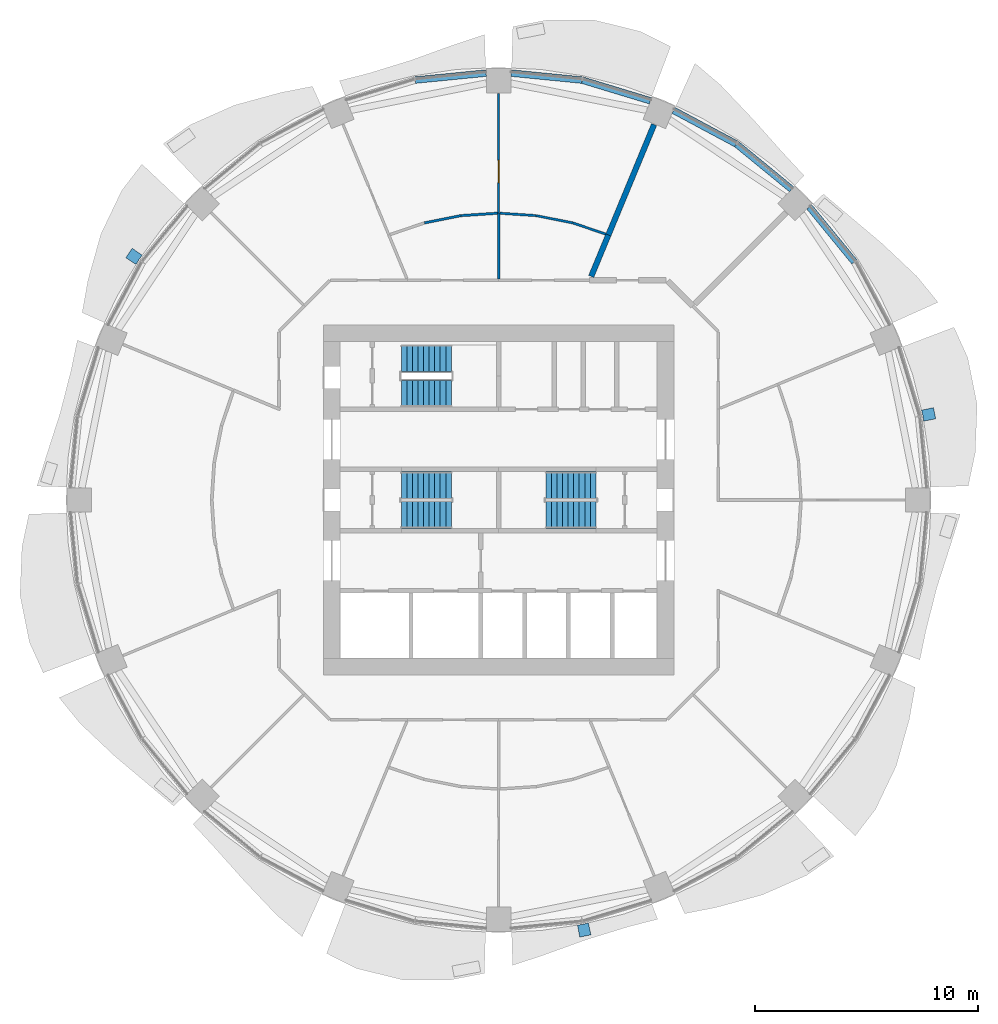
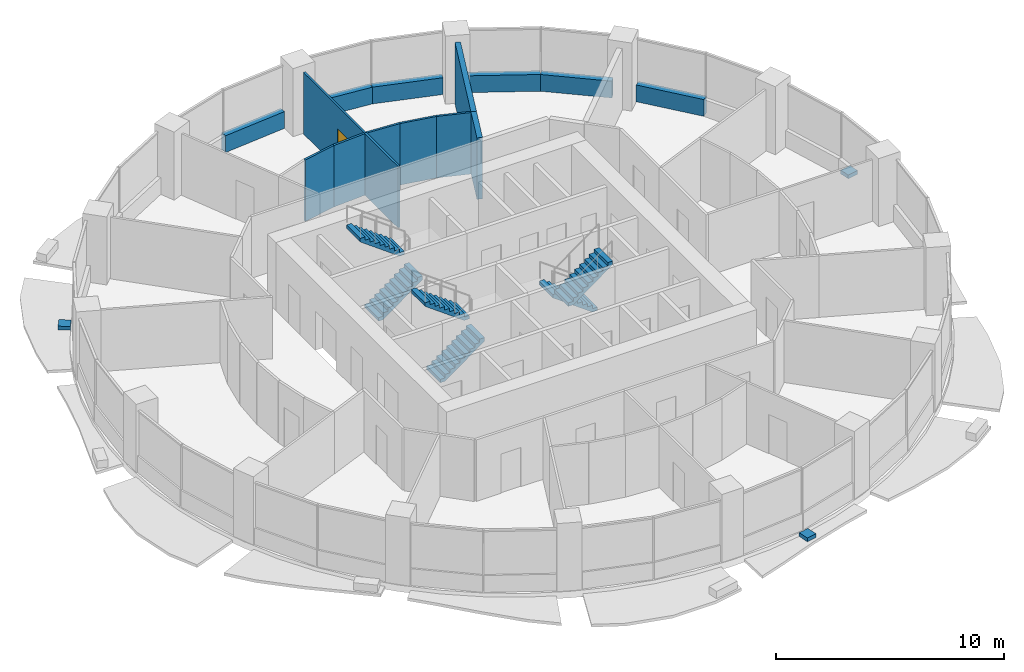
# One storey, part 11 of 15: 15 walls, 6 stair flights, 3 discrete accessories, 1 door, 1 opening, 3 elements without a shape of their own.
"""IFC4 building model written with IfcOpenShell, lengths in metres."""

from ifc_helpers import new_model, si_unit, direction, frame, frame_2d, origin, place, context, subcontext, project, spatial, polyline, rectangle, outline, extrude, material, layer, layer_set, type_object, element, fill, aggregate, save


model = new_model("IFC4")

# Units and contexts
model_context = context("Model", 3, precision=1e-05, world=origin(), true_north=direction((0.0, 1.0)))
body_context = subcontext(model_context, "Body", "Model", "MODEL_VIEW")
ifc_project = project(units=[si_unit("LENGTHUNIT", "METRE"), si_unit("AREAUNIT", "SQUARE_METRE"), si_unit("VOLUMEUNIT", "CUBIC_METRE"), si_unit("PLANEANGLEUNIT", "RADIAN"), si_unit("MASSUNIT", "GRAM", prefix="KILO")], contexts=[model_context])

# Site, building, storey
site_placement = place(None, origin())
site = spatial("IfcSite", under=ifc_project, at=site_placement, CompositionType="ELEMENT")
building_placement = place(site_placement, origin())
building = spatial("IfcBuilding", under=site, at=building_placement, Name="Polderwave Tower", CompositionType="ELEMENT")
storey_placement = place(building_placement, frame((0.0, 0.0, 72.75)))
storey = spatial("IfcBuildingStorey", under=building, at=storey_placement, Name="L18", CompositionType="ELEMENT", Elevation=72.75)

# Walls
ifc_material_1 = material(Name="Concrete C50/60 (board-marked)", Category="concrete")
ifc_layer_1 = layer(ifc_material_1, 0.300048828125)
ifc_layer_set_1 = layer_set([ifc_layer_1], Name="Concrete spandrel upstand C50/60")
wall_type_1 = type_object("IfcWallType", Name="Concrete spandrel upstand C50/60", PredefinedType="SOLIDWALL", material=ifc_layer_set_1)
for number, where, z_axis, x_axis, name in (
    (1, (15.987548828125, 10.70068359375, 0.0), (0.0, 0.0, 1.0), (-0.63411253447, 0.773240773387, 0.0), "Spandrel L18 2b"),
    (2, (13.16748046875, 13.964599609375, 0.0), (0.0, 0.0, 1.0), (-0.773240773387, 0.63411253447, 0.0), "Spandrel L18 3a"),
    (3, (10.67578125, 16.004150390625, 0.0), (0.0, 0.0, 1.0), (-0.8819437364, 0.471354692163, 0.0), "Spandrel L18 3b"),
):
    element("IfcWall", number, at=place(storey_placement, frame(where, z_axis=z_axis, x_axis=x_axis)), inside=storey, type_object=wall_type_1, Name=name, PredefinedType="SOLIDWALL", context=body_context, shape_type="SweptSolid", body=[
        extrude(rectangle(XDim=3.190185546875, YDim=0.300048828125, at=frame_2d((1.59521484375, 0.0))), origin(), (0.0, 0.0, 1.0), 0.89990234375),
    ])
wall_1_placement = place(storey_placement, frame((6.820556640625, 17.939453125, 0.0), z_axis=(0.0, 0.0, 1.0), x_axis=(-0.956954228099, 0.290238876314, 0.0)))
element("IfcWall", 4, at=wall_1_placement, inside=storey, type_object=wall_type_1, Name="Spandrel L18 4a", PredefinedType="SOLIDWALL", context=body_context, shape_type="SweptSolid", body=[
    extrude(rectangle(XDim=3.190673828125, YDim=0.300048828125, at=frame_2d((1.59521484375, 0.0))), origin(), (0.0, 0.0, 1.0), 0.89990234375),
])
for number, where, z_axis, x_axis, name in (
    (5, (3.738037109375, 18.87158203125, 0.0), (0.0, 0.0, 1.0), (-0.995173420989, 0.098131861065, 0.0), "Spandrel L18 4b"),
    (6, (-0.56396484375, 19.1845703125, 0.0), (0.0, 0.0, 1.0), (-0.995173420989, -0.098131861065, 0.0), "Spandrel L18 5a"),
):
    element("IfcWall", number, at=place(storey_placement, frame(where, z_axis=z_axis, x_axis=x_axis)), inside=storey, type_object=wall_type_1, Name=name, PredefinedType="SOLIDWALL", context=body_context, shape_type="SweptSolid", body=[
        extrude(rectangle(XDim=3.189453125, YDim=0.300048828125, at=frame_2d((1.5947265625, 0.0))), origin(), (0.0, 0.0, 1.0), 0.89990234375),
    ])

# Wall, opening, door
ifc_material_2 = material(Name="Plasterboard on steel studs", Category="steel")
ifc_layer_2 = layer(ifc_material_2, 0.10009765625)
ifc_layer_set_2 = layer_set([ifc_layer_2], Name="Partition 100 mm plasterboard on steel studs")
wall_type_2 = type_object("IfcWallType", Name="Partition 100 mm plasterboard on steel studs", PredefinedType="PARTITIONING", material=ifc_layer_set_2)
wall_2_placement = place(storey_placement, frame((0.0, 18.260009765625, 0.0), z_axis=(0.0, 0.0, 1.0), x_axis=(0.0, -1.0, 0.0)))
wall_2 = element("IfcWall", 7, at=wall_2_placement, inside=storey, type_object=wall_type_2, Name="IN-L18-W036", PredefinedType="PARTITIONING", context=body_context, shape_type="SweptSolid", body=[
    extrude(rectangle(XDim=5.3701171875, YDim=0.10009765625, at=frame_2d((2.68505859375, 0.0))), origin(), (0.0, 0.0, 1.0), 3.300048828125),
])
opening_placement = place(wall_2_placement, frame((3.0, 0.0, 0.0)))
opening = element("IfcOpeningElement", 8, at=opening_placement, cuts=wall_2, Name="Opening L18-D64", PredefinedType="OPENING", context=body_context, shape_type="SweptSolid", body=[
    extrude(rectangle(XDim=1.0, YDim=2.10009765625, at=frame_2d((0.5, 1.050048828125))), frame((0.0, 0.06005859375, 0.0), z_axis=(0.0, -1.0, 0.0), x_axis=(1.0, 0.0, 0.0)), (0.0, 0.0, 1.0), 0.1201171875),
])
ifc_material_3 = material(Name="Timber veneer door leaf", Category="wood")
door_type = type_object("IfcDoorType", Name="Single door 1000 x 2100", OperationType="NOTDEFINED", PredefinedType="DOOR", material=ifc_material_3)
door_placement = place(opening_placement, origin())
door = element("IfcDoor", 9, at=door_placement, inside=storey, type_object=door_type, Name="Door L18-D64", OperationType="SINGLE_SWING_RIGHT", OverallHeight=2.10009765625, OverallWidth=1.0, PredefinedType="DOOR", context=body_context, shape_type="SweptSolid", body=[
    extrude(rectangle(XDim=1.0, YDim=2.10009765625, at=frame_2d((0.5, 1.050048828125))), frame((0.0, 0.02490234375, 0.0), z_axis=(0.0, -1.0, 0.0), x_axis=(1.0, 0.0, 0.0)), (0.0, 0.0, 1.0), 0.050048828125),
])
fill(opening, door)

# Walls
ifc_material_4 = material(Name="Moisture-resistant board on steel studs, tiled", Category="steel")
ifc_layer_3 = layer(ifc_material_4, 0.10498046875)
ifc_layer_set_3 = layer_set([ifc_layer_3], Name="Partition 105 mm wet room board and tile")
wall_type_3 = type_object("IfcWallType", Name="Partition 105 mm wet room board and tile", PredefinedType="PARTITIONING", material=ifc_layer_set_3)
wall_3_placement = place(storey_placement, frame((0.055908203125, 12.88623046875, 0.0), z_axis=(0.0, 0.0, 1.0), x_axis=(0.99785694905, -0.065433242561, 0.0)))
element("IfcWall", 10, at=wall_3_placement, inside=storey, type_object=wall_type_3, Name="IN-L18-W032", PredefinedType="PARTITIONING", context=body_context, shape_type="SweptSolid", body=[
    extrude(rectangle(XDim=1.626708984375, YDim=0.10498046875, at=frame_2d((0.8134765625, 0.0))), origin(), (0.0, 0.0, 1.0), 3.300048828125),
])
wall_4_placement = place(storey_placement, frame((1.685791015625, 12.779052734375, 0.0), z_axis=(0.0, 0.0, 1.0), x_axis=(0.980781464345, -0.195109505655, 0.0)))
element("IfcWall", 11, at=wall_4_placement, inside=storey, type_object=wall_type_3, Name="IN-L18-W033", PredefinedType="PARTITIONING", context=body_context, shape_type="SweptSolid", body=[
    extrude(rectangle(XDim=1.67919921875, YDim=0.10498046875, at=frame_2d((0.839599609375, 0.0))), origin(), (0.0, 0.0, 1.0), 3.300048828125),
])
wall_5_placement = place(storey_placement, frame((3.339599609375, 12.44970703125, 0.0), z_axis=(0.0, 0.0, 1.0), x_axis=(0.946908669333, -0.321502677971, 0.0)))
element("IfcWall", 12, at=wall_5_placement, inside=storey, type_object=wall_type_3, Name="IN-L18-W034", PredefinedType="PARTITIONING", context=body_context, shape_type="SweptSolid", body=[
    extrude(rectangle(XDim=1.5537109375, YDim=0.10498046875, at=frame_2d((0.77685546875, 0.0))), origin(), (0.0, 0.0, 1.0), 3.300048828125),
])
wall_6_placement = place(storey_placement, frame((0.0, 9.9365234375, 0.0), z_axis=(0.0, 0.0, 1.0), x_axis=(0.0, 1.0, 0.0)))
element("IfcWall", 13, at=wall_6_placement, inside=storey, type_object=wall_type_3, Name="IN-L18-W035", PredefinedType="PARTITIONING", context=body_context, shape_type="SweptSolid", body=[
    extrude(rectangle(XDim=2.953369140625, YDim=0.10498046875, at=frame_2d((1.4765625, 0.0))), origin(), (0.0, 0.0, 1.0), 3.300048828125),
])
ifc_material_5 = material(Name="Acoustic double plasterboard on steel studs", Category="steel")
ifc_layer_4 = layer(ifc_material_5, 0.110107421875)
ifc_layer_set_4 = layer_set([ifc_layer_4], Name="Partition 110 mm acoustic double board")
wall_type_4 = type_object("IfcWallType", Name="Partition 110 mm acoustic double board", PredefinedType="PARTITIONING", material=ifc_layer_set_4)
wall_7_placement = place(storey_placement, frame((-3.332763671875, 12.451416015625, 0.0), z_axis=(0.0, 0.0, 1.0), x_axis=(0.980775928605, 0.195137330791, 0.0)))
element("IfcWall", 14, at=wall_7_placement, inside=storey, type_object=wall_type_4, Name="IN-L18-W038", PredefinedType="PARTITIONING", context=body_context, shape_type="SweptSolid", body=[
    extrude(rectangle(XDim=1.678955078125, YDim=0.110107421875, at=frame_2d((0.83935546875, 0.0))), origin(), (0.0, 0.0, 1.0), 3.300048828125),
])
wall_8_placement = place(storey_placement, frame((-1.678955078125, 12.77978515625, 0.0), z_axis=(0.0, 0.0, 1.0), x_axis=(0.997855663367, 0.065452846281, 0.0)))
element("IfcWall", 15, at=wall_8_placement, inside=storey, type_object=wall_type_4, Name="IN-L18-W039", PredefinedType="PARTITIONING", context=body_context, shape_type="SweptSolid", body=[
    extrude(rectangle(XDim=1.626220703125, YDim=0.110107421875, at=frame_2d((0.81298828125, 0.0))), origin(), (0.0, 0.0, 1.0), 3.300048828125),
])
ifc_material_6 = material(Name="Fire-resisting board on steel studs, mineral wool", Category="steel")
ifc_layer_5 = layer(ifc_material_6, 0.25)
ifc_layer_set_5 = layer_set([ifc_layer_5], Name="Plant room wall 250 mm EI 120")
wall_type_5 = type_object("IfcWallType", Name="Plant room wall 250 mm EI 120", PredefinedType="PARTITIONING", material=ifc_layer_set_5)
wall_9_placement = place(storey_placement, frame((4.16162109375, 10.046875, 0.0), z_axis=(0.0, 0.0, 1.0), x_axis=(0.382704875876, 0.923870650027, 0.0)))
element("IfcWall", 16, at=wall_9_placement, inside=storey, type_object=wall_type_5, Name="IN-L18-W030", PredefinedType="PARTITIONING", context=body_context, shape_type="SweptSolid", body=[
    extrude(rectangle(XDim=2.01513671875, YDim=0.25, at=frame_2d((1.007568359375, 0.0))), origin(), (0.0, 0.0, 1.0), 3.300048828125),
])
wall_10_placement = place(storey_placement, frame((4.932861328125, 11.90869140625, 0.0), z_axis=(0.0, 0.0, 1.0), x_axis=(0.382658286204, 0.923889947991, 0.0)))
element("IfcWall", 17, at=wall_10_placement, inside=storey, type_object=wall_type_5, Name="IN-L18-W031", PredefinedType="PARTITIONING", context=body_context, shape_type="SweptSolid", body=[
    extrude(rectangle(XDim=5.3701171875, YDim=0.25, at=frame_2d((2.68505859375, 0.0))), origin(), (0.0, 0.0, 1.0), 3.300048828125),
])

# Stair, stair flights
ifc_material_7 = material(Name="Concrete C40/50", Category="concrete")
stair_type = type_object("IfcStairType", Name="Exit stair 1200 x 20 risers", PredefinedType="HALF_TURN_STAIR", material=ifc_material_7)
stair_1_placement = place(storey_placement, origin())
stair_1 = element("IfcStair", 18, at=stair_1_placement, inside=storey, type_object=stair_type, Name="L18 Exit stair A", PredefinedType="HALF_TURN_STAIR")
stair_flight_type = type_object("IfcStairFlightType", Name="Stair flight 1200", PredefinedType="STRAIGHT", material=ifc_material_7)
stair_flight_1_placement = place(storey_placement, frame((-4.3740234375, -0.675048828125, 0.0), z_axis=(0.0, 0.0, 1.0), x_axis=(1.0, 0.0, 0.0)))
stair_flight_1 = element("IfcStairFlight", 19, at=stair_flight_1_placement, type_object=stair_flight_type, Name="ST-A flight 1", NumberOfRisers=10, NumberOfTreads=9, PredefinedType="STRAIGHT", RiserHeight=0.1825, TreadLength=0.25, context=body_context, shape_type="SweptSolid", body=[
    extrude(outline(polyline([(0.0, 0.0), (0.0, 0.1826171875), (0.25, 0.1826171875), (0.25, 0.364990234375), (0.5, 0.364990234375), (0.5, 0.547607421875), (0.75, 0.547607421875), (0.75, 0.72998046875), (1.0, 0.72998046875), (1.0, 0.91259765625), (1.25, 0.91259765625), (1.25, 1.094970703125), (1.5, 1.094970703125), (1.5, 1.277587890625), (1.75, 1.277587890625), (1.75, 1.4599609375), (2.0, 1.4599609375), (2.0, 1.642578125), (2.25, 1.642578125), (2.25, 1.824951171875), (2.25, 1.456787109375), (0.254150390625, 0.0), (0.0, 0.0)])), frame((0.0, 0.60009765625, 0.0), z_axis=(0.0, -1.0, 0.0), x_axis=(1.0, 0.0, 0.0)), (0.0, 0.0, 1.0), 1.199951171875),
])
stair_flight_2_placement = place(storey_placement, frame((-2.1240234375, 0.675048828125, 1.824951171875), z_axis=(0.0, 0.0, 1.0), x_axis=(-1.0, 0.0, 0.0)))
stair_flight_2 = element("IfcStairFlight", 20, at=stair_flight_2_placement, type_object=stair_flight_type, Name="ST-A flight 2", NumberOfRisers=10, NumberOfTreads=9, PredefinedType="STRAIGHT", RiserHeight=0.1825, TreadLength=0.25, context=body_context, shape_type="SweptSolid", body=[
    extrude(outline(polyline([(0.0, 0.0), (0.0, 0.1826171875), (0.25, 0.1826171875), (0.25, 0.364990234375), (0.5, 0.364990234375), (0.5, 0.547607421875), (0.75, 0.547607421875), (0.75, 0.72998046875), (1.0, 0.72998046875), (1.0, 0.91259765625), (1.25, 0.91259765625), (1.25, 1.094970703125), (1.5, 1.094970703125), (1.5, 1.277587890625), (1.75, 1.277587890625), (1.75, 1.4599609375), (2.0, 1.4599609375), (2.0, 1.642578125), (2.25, 1.642578125), (2.25, 1.824951171875), (2.25, 1.456787109375), (0.254150390625, 0.0), (0.0, 0.0)])), frame((0.0, 0.60009765625, 0.0), z_axis=(0.0, -1.0, 0.0), x_axis=(1.0, 0.0, 0.0)), (0.0, 0.0, 1.0), 1.199951171875),
])
aggregate(stair_1, [stair_flight_1, stair_flight_2])

stair_2_placement = place(storey_placement, origin())
stair_2 = element("IfcStair", 21, at=stair_2_placement, inside=storey, type_object=stair_type, Name="L18 Exit stair B", PredefinedType="HALF_TURN_STAIR")
stair_flight_3_placement = place(storey_placement, frame((4.3740234375, 0.675048828125, 0.0), z_axis=(0.0, 0.0, 1.0), x_axis=(-1.0, 0.0, 0.0)))
stair_flight_3 = element("IfcStairFlight", 22, at=stair_flight_3_placement, type_object=stair_flight_type, Name="ST-B flight 1", NumberOfRisers=10, NumberOfTreads=9, PredefinedType="STRAIGHT", RiserHeight=0.1825, TreadLength=0.25, context=body_context, shape_type="SweptSolid", body=[
    extrude(outline(polyline([(0.0, 0.0), (0.0, 0.1826171875), (0.25, 0.1826171875), (0.25, 0.364990234375), (0.5, 0.364990234375), (0.5, 0.547607421875), (0.75, 0.547607421875), (0.75, 0.72998046875), (1.0, 0.72998046875), (1.0, 0.91259765625), (1.25, 0.91259765625), (1.25, 1.094970703125), (1.5, 1.094970703125), (1.5, 1.277587890625), (1.75, 1.277587890625), (1.75, 1.4599609375), (2.0, 1.4599609375), (2.0, 1.642578125), (2.25, 1.642578125), (2.25, 1.824951171875), (2.25, 1.456787109375), (0.254150390625, 0.0), (0.0, 0.0)])), frame((0.0, 0.60009765625, 0.0), z_axis=(0.0, -1.0, 0.0), x_axis=(1.0, 0.0, 0.0)), (0.0, 0.0, 1.0), 1.199951171875),
])
stair_flight_4_placement = place(storey_placement, frame((2.1240234375, -0.675048828125, 1.824951171875), z_axis=(0.0, 0.0, 1.0), x_axis=(1.0, 0.0, 0.0)))
stair_flight_4 = element("IfcStairFlight", 23, at=stair_flight_4_placement, type_object=stair_flight_type, Name="ST-B flight 2", NumberOfRisers=10, NumberOfTreads=9, PredefinedType="STRAIGHT", RiserHeight=0.1825, TreadLength=0.25, context=body_context, shape_type="SweptSolid", body=[
    extrude(outline(polyline([(0.0, 0.0), (0.0, 0.1826171875), (0.25, 0.1826171875), (0.25, 0.364990234375), (0.5, 0.364990234375), (0.5, 0.547607421875), (0.75, 0.547607421875), (0.75, 0.72998046875), (1.0, 0.72998046875), (1.0, 0.91259765625), (1.25, 0.91259765625), (1.25, 1.094970703125), (1.5, 1.094970703125), (1.5, 1.277587890625), (1.75, 1.277587890625), (1.75, 1.4599609375), (2.0, 1.4599609375), (2.0, 1.642578125), (2.25, 1.642578125), (2.25, 1.824951171875), (2.25, 1.456787109375), (0.254150390625, 0.0), (0.0, 0.0)])), frame((0.0, 0.60009765625, 0.0), z_axis=(0.0, -1.0, 0.0), x_axis=(1.0, 0.0, 0.0)), (0.0, 0.0, 1.0), 1.199951171875),
])
aggregate(stair_2, [stair_flight_3, stair_flight_4])

stair_3_placement = place(storey_placement, origin())
stair_3 = element("IfcStair", 24, at=stair_3_placement, inside=storey, type_object=stair_type, Name="L18 Exit stair C", PredefinedType="HALF_TURN_STAIR")
stair_flight_5_placement = place(storey_placement, frame((-4.3740234375, 4.77392578125, 0.0), z_axis=(0.0, 0.0, 1.0), x_axis=(1.0, 0.0, 0.0)))
stair_flight_5 = element("IfcStairFlight", 25, at=stair_flight_5_placement, type_object=stair_flight_type, Name="ST-C flight 1", NumberOfRisers=10, NumberOfTreads=9, PredefinedType="STRAIGHT", RiserHeight=0.1825, TreadLength=0.25, context=body_context, shape_type="SweptSolid", body=[
    extrude(outline(polyline([(0.0, 0.0), (0.0, 0.1826171875), (0.25, 0.1826171875), (0.25, 0.364990234375), (0.5, 0.364990234375), (0.5, 0.547607421875), (0.75, 0.547607421875), (0.75, 0.72998046875), (1.0, 0.72998046875), (1.0, 0.91259765625), (1.25, 0.91259765625), (1.25, 1.094970703125), (1.5, 1.094970703125), (1.5, 1.277587890625), (1.75, 1.277587890625), (1.75, 1.4599609375), (2.0, 1.4599609375), (2.0, 1.642578125), (2.25, 1.642578125), (2.25, 1.824951171875), (2.25, 1.456787109375), (0.254150390625, 0.0), (0.0, 0.0)])), frame((0.0, 0.60009765625, 0.0), z_axis=(0.0, -1.0, 0.0), x_axis=(1.0, 0.0, 0.0)), (0.0, 0.0, 1.0), 1.199951171875),
])
stair_flight_6_placement = place(storey_placement, frame((-2.1240234375, 6.3740234375, 1.824951171875), z_axis=(0.0, 0.0, 1.0), x_axis=(-1.0, 0.0, 0.0)))
stair_flight_6 = element("IfcStairFlight", 26, at=stair_flight_6_placement, type_object=stair_flight_type, Name="ST-C flight 2", NumberOfRisers=10, NumberOfTreads=9, PredefinedType="STRAIGHT", RiserHeight=0.1825, TreadLength=0.25, context=body_context, shape_type="SweptSolid", body=[
    extrude(outline(polyline([(0.0, 0.0), (0.0, 0.1826171875), (0.25, 0.1826171875), (0.25, 0.364990234375), (0.5, 0.364990234375), (0.5, 0.547607421875), (0.75, 0.547607421875), (0.75, 0.72998046875), (1.0, 0.72998046875), (1.0, 0.91259765625), (1.25, 0.91259765625), (1.25, 1.094970703125), (1.5, 1.094970703125), (1.5, 1.277587890625), (1.75, 1.277587890625), (1.75, 1.4599609375), (2.0, 1.4599609375), (2.0, 1.642578125), (2.25, 1.642578125), (2.25, 1.824951171875), (2.25, 1.456787109375), (0.254150390625, 0.0), (0.0, 0.0)])), frame((0.0, 0.60009765625, 0.0), z_axis=(0.0, -1.0, 0.0), x_axis=(1.0, 0.0, 0.0)), (0.0, 0.0, 1.0), 1.199951171875),
])
aggregate(stair_3, [stair_flight_5, stair_flight_6])

# Discrete accessories
ifc_material_8 = material(Name="Steel S355", Category="steel")
discrete_accessory_type = type_object("IfcDiscreteAccessoryType", Name="Band bracket pad", PredefinedType="BRACKET", material=ifc_material_8)
discrete_accessory_1_placement = place(storey_placement, frame((0.0, 0.0, -0.199951171875)))
element("IfcDiscreteAccessory", 27, at=discrete_accessory_1_placement, inside=storey, type_object=discrete_accessory_type, Name="Band bracket L18 1", PredefinedType="BRACKET", context=body_context, shape_type="SweptSolid", body=[
    extrude(outline(polyline([(19.10302734375, 3.54541015625), (19.06640625, 3.79248046875), (19.005615234375, 4.03515625), (19.543701171875, 4.1494140625), (19.643798828125, 3.6455078125), (19.10302734375, 3.54541015625)])), origin(), (0.0, 0.0, 1.0), 0.199951171875),
])
discrete_accessory_2_placement = place(storey_placement, frame((0.0, 0.0, -0.199951171875)))
element("IfcDiscreteAccessory", 28, at=discrete_accessory_2_placement, inside=storey, type_object=discrete_accessory_type, Name="Band bracket L18 7", PredefinedType="BRACKET", context=body_context, shape_type="SweptSolid", body=[
    extrude(outline(polyline([(-16.014892578125, 11.001220703125), (-16.163818359375, 10.80029296875), (-16.292236328125, 10.5859375), (-16.75341796875, 10.885498046875), (-16.46826171875, 11.3125), (-16.014892578125, 11.001220703125)])), origin(), (0.0, 0.0, 1.0), 0.199951171875),
])
discrete_accessory_3_placement = place(storey_placement, frame((0.0, 0.0, -0.199951171875)))
element("IfcDiscreteAccessory", 29, at=discrete_accessory_3_placement, inside=storey, type_object=discrete_accessory_type, Name="Band bracket L18 13", PredefinedType="BRACKET", context=body_context, shape_type="SweptSolid", body=[
    extrude(outline(polyline([(3.54541015625, -19.10302734375), (3.79248046875, -19.06640625), (4.03515625, -19.005615234375), (4.1494140625, -19.543701171875), (3.6455078125, -19.643798828125), (3.54541015625, -19.10302734375)])), origin(), (0.0, 0.0, 1.0), 0.199951171875),
])

save(model, "model.ifc")
